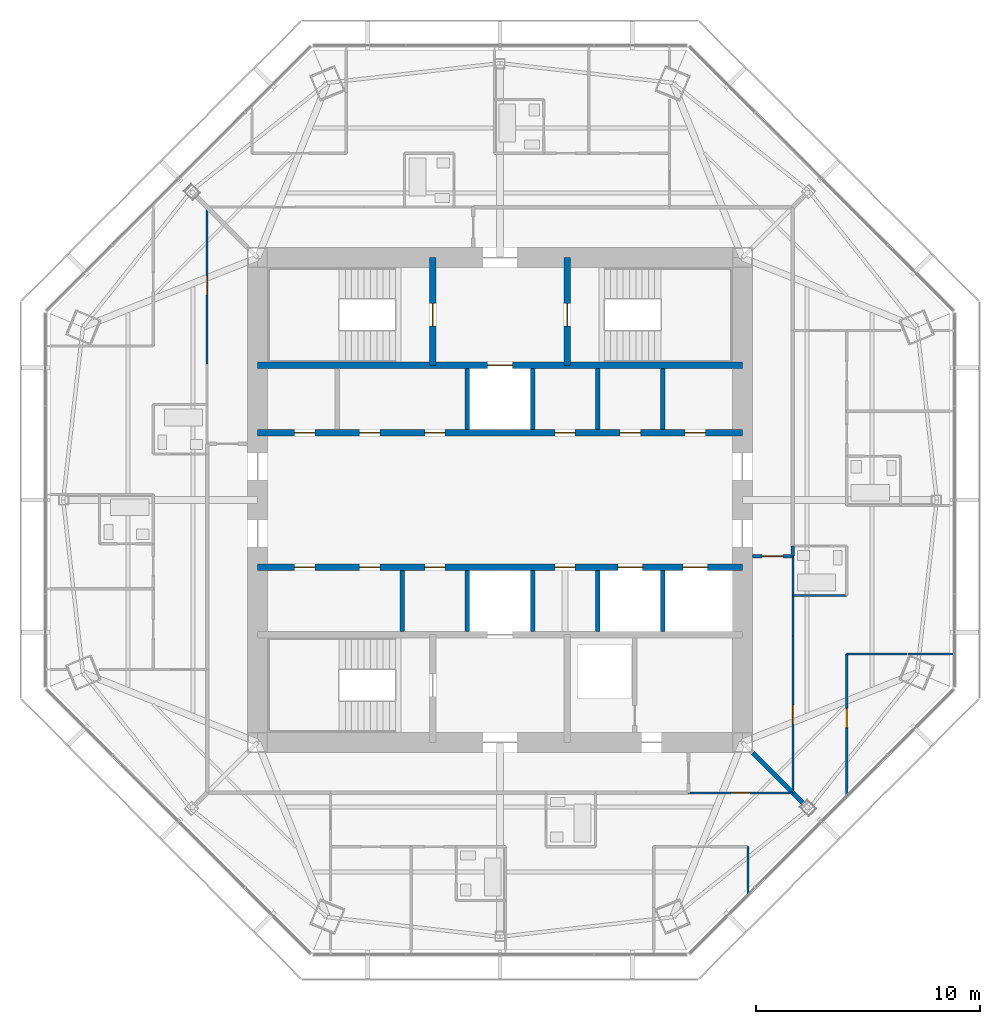
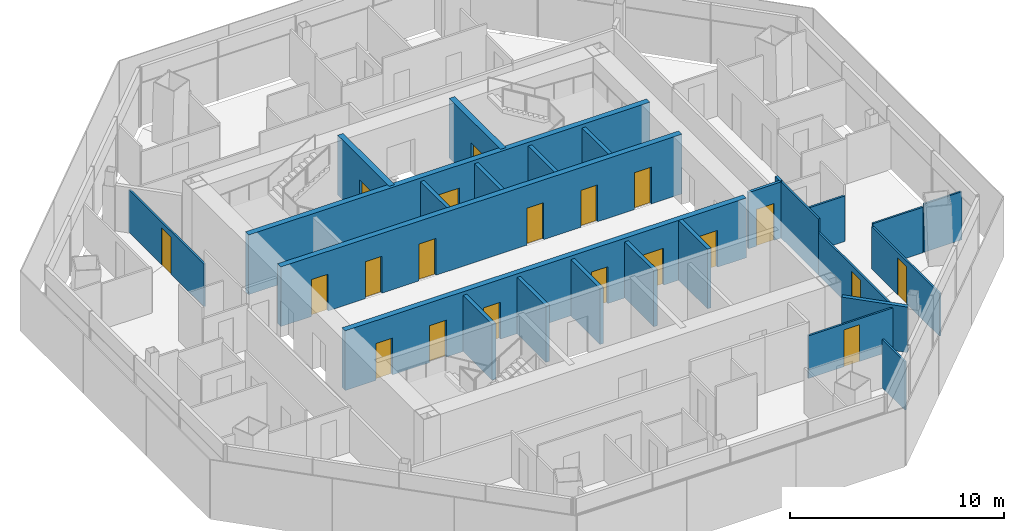
# One storey, part 11 of 15: 26 walls, 20 doors, 20 openings.
"""IFC4 building model written with IfcOpenShell, lengths in metres."""

from ifc_helpers import new_model, si_unit, direction, frame, frame_2d, origin, place, context, subcontext, project, spatial, rectangle, extrude, material, layer, layer_set, type_object, element, fill, save


model = new_model("IFC4")

# Units and contexts
model_context = context("Model", 3, precision=1e-05, world=origin(), true_north=direction((0.0, 1.0)))
body_context = subcontext(model_context, "Body", "Model", "MODEL_VIEW")
ifc_project = project(units=[si_unit("LENGTHUNIT", "METRE"), si_unit("AREAUNIT", "SQUARE_METRE"), si_unit("VOLUMEUNIT", "CUBIC_METRE"), si_unit("PLANEANGLEUNIT", "RADIAN"), si_unit("MASSUNIT", "GRAM", prefix="KILO")], contexts=[model_context])

# Site, building, storey
site_placement = place(None, origin())
site = spatial("IfcSite", under=ifc_project, at=site_placement, CompositionType="ELEMENT")
building_placement = place(site_placement, origin())
building = spatial("IfcBuilding", under=site, at=building_placement, Name="Mashrafa Tower", CompositionType="ELEMENT")
storey_placement = place(building_placement, frame((0.0, 0.0, 274.199951171875)))
storey = spatial("IfcBuildingStorey", under=building, at=storey_placement, Name="L66", CompositionType="ELEMENT", Elevation=274.199951171875)

# Wall
ifc_material_1 = material(Name="Gypsum board on steel studs", Category="steel")
ifc_layer_1 = layer(ifc_material_1, 0.199951171875)
ifc_layer_set_1 = layer_set([ifc_layer_1], Name="Acoustic partition 200 1 hr")
wall_type_1 = type_object("IfcWallType", Name="Acoustic partition 200 1 hr", PredefinedType="PARTITIONING", material=ifc_layer_set_1)
wall_1_placement = place(storey_placement, frame((13.518310546875, -13.518310546875, 0.0), z_axis=(0.0, 0.0, 1.0), x_axis=(-0.707106781187, 0.707106781187, 0.0)))
element("IfcWall", 1, at=wall_1_placement, inside=storey, type_object=wall_type_1, Name="Acoustic wall L66-049", PredefinedType="PARTITIONING", context=body_context, shape_type="SweptSolid", body=[
    extrude(rectangle(XDim=3.180908203125, YDim=0.199951171875, at=frame_2d((1.59033203125, 0.0))), origin(), (0.0, 0.0, 1.0), 2.590576171875),
])

# Wall, openings, doors
ifc_material_2 = material(Name="Concrete C50/60", Category="concrete")
ifc_layer_2 = layer(ifc_material_2, 0.300048828125)
ifc_layer_set_2 = layer_set([ifc_layer_2], Name="Core wall 300 C50/60")
wall_type_2 = type_object("IfcWallType", Name="Core wall 300 C50/60", PredefinedType="SOLIDWALL", material=ifc_layer_set_2)
wall_2_placement = place(storey_placement, frame((-10.800048828125, 3.0, 0.0), z_axis=(0.0, 0.0, 1.0), x_axis=(1.0, 0.0, 0.0)))
wall_2 = element("IfcWall", 2, at=wall_2_placement, inside=storey, type_object=wall_type_2, Name="Core wall CH-N L66", PredefinedType="SOLIDWALL", context=body_context, shape_type="SweptSolid", body=[
    extrude(rectangle(XDim=21.60009765625, YDim=0.300048828125, at=frame_2d((10.800048828125, 0.0))), origin(), (0.0, 0.0, 1.0), 3.400146484375),
])
opening_1_placement = place(wall_2_placement, frame((1.64990234375, 0.0, 0.0)))
opening_1 = element("IfcOpeningElement", 3, at=opening_1_placement, cuts=wall_2, Name="Opening 66.044", PredefinedType="OPENING", context=body_context, shape_type="SweptSolid", body=[
    extrude(rectangle(XDim=0.89990234375, YDim=2.10009765625, at=frame_2d((0.449951171875, 1.050048828125))), frame((0.0, 0.159912109375, 0.0), z_axis=(0.0, -1.0, 0.0), x_axis=(1.0, 0.0, 0.0)), (0.0, 0.0, 1.0), 0.320068359375),
])
opening_2_placement = place(wall_2_placement, frame((4.550048828125, 0.0, 0.0)))
opening_2 = element("IfcOpeningElement", 4, at=opening_2_placement, cuts=wall_2, Name="Opening 66.045", PredefinedType="OPENING", context=body_context, shape_type="SweptSolid", body=[
    extrude(rectangle(XDim=0.89990234375, YDim=2.10009765625, at=frame_2d((0.449951171875, 1.050048828125))), frame((0.0, 0.159912109375, 0.0), z_axis=(0.0, -1.0, 0.0), x_axis=(1.0, 0.0, 0.0)), (0.0, 0.0, 1.0), 0.320068359375),
])
opening_3_placement = place(wall_2_placement, frame((7.449951171875, 0.0, 0.0)))
opening_3 = element("IfcOpeningElement", 5, at=opening_3_placement, cuts=wall_2, Name="Opening 66.046", PredefinedType="OPENING", context=body_context, shape_type="SweptSolid", body=[
    extrude(rectangle(XDim=0.89990234375, YDim=2.10009765625, at=frame_2d((0.449951171875, 1.050048828125))), frame((0.0, 0.159912109375, 0.0), z_axis=(0.0, -1.0, 0.0), x_axis=(1.0, 0.0, 0.0)), (0.0, 0.0, 1.0), 0.320068359375),
])
opening_4_placement = place(wall_2_placement, frame((13.25, 0.0, 0.0)))
opening_4 = element("IfcOpeningElement", 6, at=opening_4_placement, cuts=wall_2, Name="Opening 66.047", PredefinedType="OPENING", context=body_context, shape_type="SweptSolid", body=[
    extrude(rectangle(XDim=0.89990234375, YDim=2.10009765625, at=frame_2d((0.449951171875, 1.050048828125))), frame((0.0, 0.159912109375, 0.0), z_axis=(0.0, -1.0, 0.0), x_axis=(1.0, 0.0, 0.0)), (0.0, 0.0, 1.0), 0.320068359375),
])
opening_5_placement = place(wall_2_placement, frame((16.14990234375, 0.0, 0.0)))
opening_5 = element("IfcOpeningElement", 7, at=opening_5_placement, cuts=wall_2, Name="Opening 66.051", PredefinedType="OPENING", context=body_context, shape_type="SweptSolid", body=[
    extrude(rectangle(XDim=0.89990234375, YDim=2.10009765625, at=frame_2d((0.449951171875, 1.050048828125))), frame((0.0, 0.159912109375, 0.0), z_axis=(0.0, -1.0, 0.0), x_axis=(1.0, 0.0, 0.0)), (0.0, 0.0, 1.0), 0.320068359375),
])
opening_6_placement = place(wall_2_placement, frame((19.050048828125, 0.0, 0.0)))
opening_6 = element("IfcOpeningElement", 8, at=opening_6_placement, cuts=wall_2, Name="Opening 66.052", PredefinedType="OPENING", context=body_context, shape_type="SweptSolid", body=[
    extrude(rectangle(XDim=0.89990234375, YDim=2.10009765625, at=frame_2d((0.449951171875, 1.050048828125))), frame((0.0, 0.159912109375, 0.0), z_axis=(0.0, -1.0, 0.0), x_axis=(1.0, 0.0, 0.0)), (0.0, 0.0, 1.0), 0.320068359375),
])
ifc_material_3 = material(Name="Timber door", Category="wood")
door_type_1 = type_object("IfcDoorType", Name="Store door 900 x 2100", OperationType="USERDEFINED", PredefinedType="DOOR", material=ifc_material_3)
door_1_placement = place(opening_1_placement, origin())
door_1 = element("IfcDoor", 9, at=door_1_placement, inside=storey, type_object=door_type_1, Name="Refuse Chute Room L66 door", OperationType="SINGLE_SWING_RIGHT", OverallHeight=2.10009765625, OverallWidth=0.89990234375, PredefinedType="DOOR", context=body_context, shape_type="SweptSolid", body=[
    extrude(rectangle(XDim=0.89990234375, YDim=2.10009765625, at=frame_2d((0.449951171875, 1.050048828125))), frame((0.0, 0.02490234375, 0.0), z_axis=(0.0, -1.0, 0.0), x_axis=(1.0, 0.0, 0.0)), (0.0, 0.0, 1.0), 0.050048828125),
])
fill(opening_1, door_1)
door_2_placement = place(opening_2_placement, origin())
door_2 = element("IfcDoor", 10, at=door_2_placement, inside=storey, type_object=door_type_1, Name="Housekeeping and Linen Room L66 door", OperationType="SINGLE_SWING_LEFT", OverallHeight=2.10009765625, OverallWidth=0.89990234375, PredefinedType="DOOR", context=body_context, shape_type="SweptSolid", body=[
    extrude(rectangle(XDim=0.89990234375, YDim=2.10009765625, at=frame_2d((0.449951171875, 1.050048828125))), frame((0.0, 0.02490234375, 0.0), z_axis=(0.0, -1.0, 0.0), x_axis=(1.0, 0.0, 0.0)), (0.0, 0.0, 1.0), 0.050048828125),
])
fill(opening_2, door_2)
door_3_placement = place(opening_3_placement, origin())
door_3 = element("IfcDoor", 11, at=door_3_placement, inside=storey, type_object=door_type_1, Name="Housekeeping and Linen Room L66 door", OperationType="SINGLE_SWING_RIGHT", OverallHeight=2.10009765625, OverallWidth=0.89990234375, PredefinedType="DOOR", context=body_context, shape_type="SweptSolid", body=[
    extrude(rectangle(XDim=0.89990234375, YDim=2.10009765625, at=frame_2d((0.449951171875, 1.050048828125))), frame((0.0, 0.02490234375, 0.0), z_axis=(0.0, -1.0, 0.0), x_axis=(1.0, 0.0, 0.0)), (0.0, 0.0, 1.0), 0.050048828125),
])
fill(opening_3, door_3)
door_4_placement = place(opening_4_placement, origin())
door_4 = element("IfcDoor", 12, at=door_4_placement, inside=storey, type_object=door_type_1, Name="Cleaner's Store L66 door", OperationType="SINGLE_SWING_LEFT", OverallHeight=2.10009765625, OverallWidth=0.89990234375, PredefinedType="DOOR", context=body_context, shape_type="SweptSolid", body=[
    extrude(rectangle(XDim=0.89990234375, YDim=2.10009765625, at=frame_2d((0.449951171875, 1.050048828125))), frame((0.0, 0.02490234375, 0.0), z_axis=(0.0, -1.0, 0.0), x_axis=(1.0, 0.0, 0.0)), (0.0, 0.0, 1.0), 0.050048828125),
])
fill(opening_4, door_4)
door_5_placement = place(opening_5_placement, origin())
door_5 = element("IfcDoor", 13, at=door_5_placement, inside=storey, type_object=door_type_1, Name="Residents' Store L66-K1 door", OperationType="SINGLE_SWING_LEFT", OverallHeight=2.10009765625, OverallWidth=0.89990234375, PredefinedType="DOOR", context=body_context, shape_type="SweptSolid", body=[
    extrude(rectangle(XDim=0.89990234375, YDim=2.10009765625, at=frame_2d((0.449951171875, 1.050048828125))), frame((0.0, 0.02490234375, 0.0), z_axis=(0.0, -1.0, 0.0), x_axis=(1.0, 0.0, 0.0)), (0.0, 0.0, 1.0), 0.050048828125),
])
fill(opening_5, door_5)
door_6_placement = place(opening_6_placement, origin())
door_6 = element("IfcDoor", 14, at=door_6_placement, inside=storey, type_object=door_type_1, Name="Residents' Store L66-K2 door", OperationType="SINGLE_SWING_LEFT", OverallHeight=2.10009765625, OverallWidth=0.89990234375, PredefinedType="DOOR", context=body_context, shape_type="SweptSolid", body=[
    extrude(rectangle(XDim=0.89990234375, YDim=2.10009765625, at=frame_2d((0.449951171875, 1.050048828125))), frame((0.0, 0.02490234375, 0.0), z_axis=(0.0, -1.0, 0.0), x_axis=(1.0, 0.0, 0.0)), (0.0, 0.0, 1.0), 0.050048828125),
])
fill(opening_6, door_6)

# Wall, opening, door
wall_3_placement = place(storey_placement, frame((-10.800048828125, 6.0, 0.0), z_axis=(0.0, 0.0, 1.0), x_axis=(1.0, 0.0, 0.0)))
wall_3 = element("IfcWall", 15, at=wall_3_placement, inside=storey, type_object=wall_type_2, Name="Core wall CB-N L66", PredefinedType="SOLIDWALL", context=body_context, shape_type="SweptSolid", body=[
    extrude(rectangle(XDim=21.60009765625, YDim=0.300048828125, at=frame_2d((10.800048828125, 0.0))), origin(), (0.0, 0.0, 1.0), 3.400146484375),
])
opening_7_placement = place(wall_3_placement, frame((10.25, 0.0, 0.0)))
opening_7 = element("IfcOpeningElement", 16, at=opening_7_placement, cuts=wall_3, Name="Opening 66.F1", PredefinedType="OPENING", context=body_context, shape_type="SweptSolid", body=[
    extrude(rectangle(XDim=1.10009765625, YDim=2.10009765625, at=frame_2d((0.550048828125, 1.050048828125))), frame((0.0, 0.159912109375, 0.0), z_axis=(0.0, -1.0, 0.0), x_axis=(1.0, 0.0, 0.0)), (0.0, 0.0, 1.0), 0.320068359375),
])
ifc_material_4 = material(Name="Steel door", Category="steel")
door_type_2 = type_object("IfcDoorType", Name="Lift landing door 1100 x 2100 90 min", OperationType="DOUBLE_DOOR_SLIDING", PredefinedType="DOOR", material=ifc_material_4)
door_7_placement = place(opening_7_placement, origin())
door_7 = element("IfcDoor", 17, at=door_7_placement, inside=storey, type_object=door_type_2, Name="Lift landing door F1 L66", OperationType="DOUBLE_DOOR_SLIDING", OverallHeight=2.10009765625, OverallWidth=1.10009765625, PredefinedType="DOOR", context=body_context, shape_type="SweptSolid", body=[
    extrude(rectangle(XDim=1.10009765625, YDim=2.10009765625, at=frame_2d((0.550048828125, 1.050048828125))), frame((0.0, 0.02490234375, 0.0), z_axis=(0.0, -1.0, 0.0), x_axis=(1.0, 0.0, 0.0)), (0.0, 0.0, 1.0), 0.050048828125),
])
fill(opening_7, door_7)

wall_4_placement = place(storey_placement, frame((-3.0, 6.0, 0.0), z_axis=(0.0, 0.0, 1.0), x_axis=(0.0, 1.0, 0.0)))
wall_4 = element("IfcWall", 18, at=wall_4_placement, inside=storey, type_object=wall_type_2, Name="Core wall CX-NW L66", PredefinedType="SOLIDWALL", context=body_context, shape_type="SweptSolid", body=[
    extrude(rectangle(XDim=4.800048828125, YDim=0.300048828125, at=frame_2d((2.39990234375, 0.0))), origin(), (0.0, 0.0, 1.0), 3.400146484375),
])
opening_8_placement = place(wall_4_placement, frame((1.75, 0.0, 0.0)))
opening_8 = element("IfcOpeningElement", 19, at=opening_8_placement, cuts=wall_4, Name="Opening 66.039", PredefinedType="OPENING", context=body_context, shape_type="SweptSolid", body=[
    extrude(rectangle(XDim=1.0, YDim=2.10009765625, at=frame_2d((0.5, 1.050048828125))), frame((0.0, 0.159912109375, 0.0), z_axis=(0.0, -1.0, 0.0), x_axis=(1.0, 0.0, 0.0)), (0.0, 0.0, 1.0), 0.320068359375),
])
ifc_material_5 = material(Name="Steel door", Category="steel")
door_type_3 = type_object("IfcDoorType", Name="Stair door 1000 x 2100 90 min", OperationType="USERDEFINED", PredefinedType="DOOR", material=ifc_material_5)
door_8_placement = place(opening_8_placement, origin())
door_8 = element("IfcDoor", 20, at=door_8_placement, inside=storey, type_object=door_type_3, Name="Stair S1 door L66", OperationType="SINGLE_SWING_LEFT", OverallHeight=2.10009765625, OverallWidth=1.0, PredefinedType="DOOR", context=body_context, shape_type="SweptSolid", body=[
    extrude(rectangle(XDim=1.0, YDim=2.10009765625, at=frame_2d((0.5, 1.050048828125))), frame((0.0, 0.02490234375, 0.0), z_axis=(0.0, -1.0, 0.0), x_axis=(1.0, 0.0, 0.0)), (0.0, 0.0, 1.0), 0.050048828125),
])
fill(opening_8, door_8)

wall_5_placement = place(storey_placement, frame((3.0, 6.0, 0.0), z_axis=(0.0, 0.0, 1.0), x_axis=(0.0, 1.0, 0.0)))
wall_5 = element("IfcWall", 21, at=wall_5_placement, inside=storey, type_object=wall_type_2, Name="Core wall CX-NE L66", PredefinedType="SOLIDWALL", context=body_context, shape_type="SweptSolid", body=[
    extrude(rectangle(XDim=4.800048828125, YDim=0.300048828125, at=frame_2d((2.39990234375, 0.0))), origin(), (0.0, 0.0, 1.0), 3.400146484375),
])
opening_9_placement = place(wall_5_placement, frame((1.75, 0.0, 0.0)))
opening_9 = element("IfcOpeningElement", 22, at=opening_9_placement, cuts=wall_5, Name="Opening 66.040", PredefinedType="OPENING", context=body_context, shape_type="SweptSolid", body=[
    extrude(rectangle(XDim=1.0, YDim=2.10009765625, at=frame_2d((0.5, 1.050048828125))), frame((0.0, 0.159912109375, 0.0), z_axis=(0.0, -1.0, 0.0), x_axis=(1.0, 0.0, 0.0)), (0.0, 0.0, 1.0), 0.320068359375),
])
door_9_placement = place(opening_9_placement, frame((1.0, 0.0, 0.0), z_axis=(0.0, 0.0, 1.0), x_axis=(-1.0, 0.0, 0.0)))
door_9 = element("IfcDoor", 23, at=door_9_placement, inside=storey, type_object=door_type_3, Name="Stair S2 door L66", OperationType="SINGLE_SWING_RIGHT", OverallHeight=2.10009765625, OverallWidth=1.0, PredefinedType="DOOR", context=body_context, shape_type="SweptSolid", body=[
    extrude(rectangle(XDim=1.0, YDim=2.10009765625, at=frame_2d((0.5, 1.050048828125))), frame((0.0, 0.02490234375, 0.0), z_axis=(0.0, -1.0, 0.0), x_axis=(1.0, 0.0, 0.0)), (0.0, 0.0, 1.0), 0.050048828125),
])
fill(opening_9, door_9)

# Wall, openings, doors
wall_6_placement = place(storey_placement, frame((-10.800048828125, -3.0, 0.0), z_axis=(0.0, 0.0, 1.0), x_axis=(1.0, 0.0, 0.0)))
wall_6 = element("IfcWall", 24, at=wall_6_placement, inside=storey, type_object=wall_type_2, Name="Core wall CH-S L66", PredefinedType="SOLIDWALL", context=body_context, shape_type="SweptSolid", body=[
    extrude(rectangle(XDim=21.60009765625, YDim=0.300048828125, at=frame_2d((10.800048828125, 0.0))), origin(), (0.0, 0.0, 1.0), 3.400146484375),
])
opening_10_placement = place(wall_6_placement, frame((13.25, 0.0, 0.0)))
opening_10 = element("IfcOpeningElement", 25, at=opening_10_placement, cuts=wall_6, Name="Opening 66.048", PredefinedType="OPENING", context=body_context, shape_type="SweptSolid", body=[
    extrude(rectangle(XDim=0.89990234375, YDim=2.10009765625, at=frame_2d((0.449951171875, 1.050048828125))), frame((0.0, 0.159912109375, 0.0), z_axis=(0.0, -1.0, 0.0), x_axis=(1.0, 0.0, 0.0)), (0.0, 0.0, 1.0), 0.320068359375),
])
opening_11_placement = place(wall_6_placement, frame((1.64990234375, 0.0, 0.0)))
opening_11 = element("IfcOpeningElement", 26, at=opening_11_placement, cuts=wall_6, Name="Opening 66.049", PredefinedType="OPENING", context=body_context, shape_type="SweptSolid", body=[
    extrude(rectangle(XDim=0.89990234375, YDim=2.10009765625, at=frame_2d((0.449951171875, 1.050048828125))), frame((0.0, 0.159912109375, 0.0), z_axis=(0.0, -1.0, 0.0), x_axis=(1.0, 0.0, 0.0)), (0.0, 0.0, 1.0), 0.320068359375),
])
opening_12_placement = place(wall_6_placement, frame((4.550048828125, 0.0, 0.0)))
opening_12 = element("IfcOpeningElement", 27, at=opening_12_placement, cuts=wall_6, Name="Opening 66.050", PredefinedType="OPENING", context=body_context, shape_type="SweptSolid", body=[
    extrude(rectangle(XDim=0.89990234375, YDim=2.10009765625, at=frame_2d((0.449951171875, 1.050048828125))), frame((0.0, 0.159912109375, 0.0), z_axis=(0.0, -1.0, 0.0), x_axis=(1.0, 0.0, 0.0)), (0.0, 0.0, 1.0), 0.320068359375),
])
opening_13_placement = place(wall_6_placement, frame((7.449951171875, 0.0, 0.0)))
opening_13 = element("IfcOpeningElement", 28, at=opening_13_placement, cuts=wall_6, Name="Opening 66.053", PredefinedType="OPENING", context=body_context, shape_type="SweptSolid", body=[
    extrude(rectangle(XDim=0.89990234375, YDim=2.10009765625, at=frame_2d((0.449951171875, 1.050048828125))), frame((0.0, 0.159912109375, 0.0), z_axis=(0.0, -1.0, 0.0), x_axis=(1.0, 0.0, 0.0)), (0.0, 0.0, 1.0), 0.320068359375),
])
opening_14_placement = place(wall_6_placement, frame((16.050048828125, 0.0, 0.0)))
opening_14 = element("IfcOpeningElement", 29, at=opening_14_placement, cuts=wall_6, Name="Opening 66.R1", PredefinedType="OPENING", context=body_context, shape_type="SweptSolid", body=[
    extrude(rectangle(XDim=1.10009765625, YDim=2.10009765625, at=frame_2d((0.550048828125, 1.050048828125))), frame((0.0, 0.159912109375, 0.0), z_axis=(0.0, -1.0, 0.0), x_axis=(1.0, 0.0, 0.0)), (0.0, 0.0, 1.0), 0.320068359375),
])
opening_15_placement = place(wall_6_placement, frame((18.949951171875, 0.0, 0.0)))
opening_15 = element("IfcOpeningElement", 30, at=opening_15_placement, cuts=wall_6, Name="Opening 66.R2", PredefinedType="OPENING", context=body_context, shape_type="SweptSolid", body=[
    extrude(rectangle(XDim=1.10009765625, YDim=2.10009765625, at=frame_2d((0.550048828125, 1.050048828125))), frame((0.0, 0.159912109375, 0.0), z_axis=(0.0, -1.0, 0.0), x_axis=(1.0, 0.0, 0.0)), (0.0, 0.0, 1.0), 0.320068359375),
])
door_10_placement = place(opening_14_placement, origin())
door_10 = element("IfcDoor", 31, at=door_10_placement, inside=storey, type_object=door_type_2, Name="Lift landing door R1 L66", OperationType="DOUBLE_DOOR_SLIDING", OverallHeight=2.10009765625, OverallWidth=1.10009765625, PredefinedType="DOOR", context=body_context, shape_type="SweptSolid", body=[
    extrude(rectangle(XDim=1.10009765625, YDim=2.10009765625, at=frame_2d((0.550048828125, 1.050048828125))), frame((0.0, 0.02490234375, 0.0), z_axis=(0.0, -1.0, 0.0), x_axis=(1.0, 0.0, 0.0)), (0.0, 0.0, 1.0), 0.050048828125),
])
fill(opening_14, door_10)
door_11_placement = place(opening_15_placement, origin())
door_11 = element("IfcDoor", 32, at=door_11_placement, inside=storey, type_object=door_type_2, Name="Lift landing door R2 L66", OperationType="DOUBLE_DOOR_SLIDING", OverallHeight=2.10009765625, OverallWidth=1.10009765625, PredefinedType="DOOR", context=body_context, shape_type="SweptSolid", body=[
    extrude(rectangle(XDim=1.10009765625, YDim=2.10009765625, at=frame_2d((0.550048828125, 1.050048828125))), frame((0.0, 0.02490234375, 0.0), z_axis=(0.0, -1.0, 0.0), x_axis=(1.0, 0.0, 0.0)), (0.0, 0.0, 1.0), 0.050048828125),
])
fill(opening_15, door_11)
door_12_placement = place(opening_10_placement, frame((0.89990234375, 0.0, 0.0), z_axis=(0.0, 0.0, 1.0), x_axis=(-1.0, 0.0, 0.0)))
door_12 = element("IfcDoor", 33, at=door_12_placement, inside=storey, type_object=door_type_1, Name="Communications Room L66 door", OperationType="SINGLE_SWING_RIGHT", OverallHeight=2.10009765625, OverallWidth=0.89990234375, PredefinedType="DOOR", context=body_context, shape_type="SweptSolid", body=[
    extrude(rectangle(XDim=0.89990234375, YDim=2.10009765625, at=frame_2d((0.449951171875, 1.050048828125))), frame((0.0, 0.02490234375, 0.0), z_axis=(0.0, -1.0, 0.0), x_axis=(1.0, 0.0, 0.0)), (0.0, 0.0, 1.0), 0.050048828125),
])
fill(opening_10, door_12)
door_13_placement = place(opening_11_placement, frame((0.89990234375, 0.0, 0.0), z_axis=(0.0, 0.0, 1.0), x_axis=(-1.0, 0.0, 0.0)))
door_13 = element("IfcDoor", 34, at=door_13_placement, inside=storey, type_object=door_type_1, Name="Residents' Storage Room L66 door", OperationType="SINGLE_SWING_RIGHT", OverallHeight=2.10009765625, OverallWidth=0.89990234375, PredefinedType="DOOR", context=body_context, shape_type="SweptSolid", body=[
    extrude(rectangle(XDim=0.89990234375, YDim=2.10009765625, at=frame_2d((0.449951171875, 1.050048828125))), frame((0.0, 0.02490234375, 0.0), z_axis=(0.0, -1.0, 0.0), x_axis=(1.0, 0.0, 0.0)), (0.0, 0.0, 1.0), 0.050048828125),
])
fill(opening_11, door_13)
door_14_placement = place(opening_12_placement, frame((0.89990234375, 0.0, 0.0), z_axis=(0.0, 0.0, 1.0), x_axis=(-1.0, 0.0, 0.0)))
door_14 = element("IfcDoor", 35, at=door_14_placement, inside=storey, type_object=door_type_1, Name="Residents' Storage Room L66 door", OperationType="SINGLE_SWING_LEFT", OverallHeight=2.10009765625, OverallWidth=0.89990234375, PredefinedType="DOOR", context=body_context, shape_type="SweptSolid", body=[
    extrude(rectangle(XDim=0.89990234375, YDim=2.10009765625, at=frame_2d((0.449951171875, 1.050048828125))), frame((0.0, 0.02490234375, 0.0), z_axis=(0.0, -1.0, 0.0), x_axis=(1.0, 0.0, 0.0)), (0.0, 0.0, 1.0), 0.050048828125),
])
fill(opening_12, door_14)
door_15_placement = place(opening_13_placement, frame((0.89990234375, 0.0, 0.0), z_axis=(0.0, 0.0, 1.0), x_axis=(-1.0, 0.0, 0.0)))
door_15 = element("IfcDoor", 36, at=door_15_placement, inside=storey, type_object=door_type_1, Name="Residents' Store L66-B3 door", OperationType="SINGLE_SWING_RIGHT", OverallHeight=2.10009765625, OverallWidth=0.89990234375, PredefinedType="DOOR", context=body_context, shape_type="SweptSolid", body=[
    extrude(rectangle(XDim=0.89990234375, YDim=2.10009765625, at=frame_2d((0.449951171875, 1.050048828125))), frame((0.0, 0.02490234375, 0.0), z_axis=(0.0, -1.0, 0.0), x_axis=(1.0, 0.0, 0.0)), (0.0, 0.0, 1.0), 0.050048828125),
])
fill(opening_13, door_15)

# Wall
ifc_material_6 = material(Name="Gypsum board on steel studs", Category="steel")
ifc_layer_3 = layer(ifc_material_6, 0.14990234375)
ifc_layer_set_3 = layer_set([ifc_layer_3], Name="Corridor partition 150 1 hr")
wall_type_3 = type_object("IfcWallType", Name="Corridor partition 150 1 hr", PredefinedType="PARTITIONING", material=ifc_layer_set_3)
wall_7_placement = place(storey_placement, frame((13.050048828125, -2.5, 0.0), z_axis=(0.0, 0.0, 1.0), x_axis=(0.0, 1.0, 0.0)))
element("IfcWall", 37, at=wall_7_placement, inside=storey, type_object=wall_type_3, Name="Corridor wall L66-001", PredefinedType="PARTITIONING", context=body_context, shape_type="SweptSolid", body=[
    extrude(rectangle(XDim=0.450927734375, YDim=0.14990234375, at=frame_2d((0.2255859375, 0.0))), origin(), (0.0, 0.0, 1.0), 3.199951171875),
])

# Wall, opening, door
wall_8_placement = place(storey_placement, frame((11.25, -2.5, 0.0), z_axis=(0.0, 0.0, 1.0), x_axis=(1.0, 0.0, 0.0)))
wall_8 = element("IfcWall", 38, at=wall_8_placement, inside=storey, type_object=wall_type_3, Name="Corridor wall L66-006", PredefinedType="PARTITIONING", context=body_context, shape_type="SweptSolid", body=[
    extrude(rectangle(XDim=1.800048828125, YDim=0.14990234375, at=frame_2d((0.89990234375, 0.0))), origin(), (0.0, 0.0, 1.0), 3.199951171875),
])
opening_16_placement = place(wall_8_placement, frame((0.425048828125, 0.0, 0.0)))
opening_16 = element("IfcOpeningElement", 39, at=opening_16_placement, cuts=wall_8, Name="Opening 66.029", PredefinedType="OPENING", context=body_context, shape_type="SweptSolid", body=[
    extrude(rectangle(XDim=0.949951171875, YDim=2.10009765625, at=frame_2d((0.47509765625, 1.050048828125))), frame((0.0, 0.0849609375, 0.0), z_axis=(0.0, -1.0, 0.0), x_axis=(1.0, 0.0, 0.0)), (0.0, 0.0, 1.0), 0.169921875),
])
ifc_material_7 = material(Name="Steel door", Category="steel")
door_type_4 = type_object("IfcDoorType", Name="Residence entrance door 950 x 2100 20 min", OperationType="USERDEFINED", PredefinedType="DOOR", material=ifc_material_7)
door_16_placement = place(opening_16_placement, origin())
door_16 = element("IfcDoor", 40, at=door_16_placement, inside=storey, type_object=door_type_4, Name="Apartment 6601 Entrance Hall door", OperationType="SINGLE_SWING_RIGHT", OverallHeight=2.10009765625, OverallWidth=0.949951171875, PredefinedType="DOOR", context=body_context, shape_type="SweptSolid", body=[
    extrude(rectangle(XDim=0.949951171875, YDim=2.10009765625, at=frame_2d((0.47509765625, 1.050048828125))), frame((0.0, 0.02490234375, 0.0), z_axis=(0.0, -1.0, 0.0), x_axis=(1.0, 0.0, 0.0)), (0.0, 0.0, 1.0), 0.050048828125),
])
fill(opening_16, door_16)

# Walls
ifc_material_8 = material(Name="Gypsum board on steel studs", Category="steel")
ifc_layer_4 = layer(ifc_material_8, 0.10009765625)
ifc_layer_set_4 = layer_set([ifc_layer_4], Name="Partition 100")
wall_type_4 = type_object("IfcWallType", Name="Partition 100", PredefinedType="PARTITIONING", material=ifc_layer_set_4)
wall_9_placement = place(storey_placement, frame((20.239990234375, -6.86279296875, 0.0), z_axis=(0.0, 0.0, 1.0), x_axis=(-1.0, 0.0, 0.0)))
element("IfcWall", 41, at=wall_9_placement, inside=storey, type_object=wall_type_4, Name="Partition wall L66-018", PredefinedType="PARTITIONING", context=body_context, shape_type="SweptSolid", body=[
    extrude(rectangle(XDim=2.054443359375, YDim=0.10009765625, at=frame_2d((1.02734375, 0.0))), origin(), (0.0, 0.0, 1.0), 2.740478515625),
])
wall_10_placement = place(storey_placement, frame((18.141845703125, -6.86279296875, 0.0), z_axis=(0.0, 0.0, 1.0), x_axis=(-1.0, 0.0, 0.0)))
element("IfcWall", 42, at=wall_10_placement, inside=storey, type_object=wall_type_4, Name="Partition wall L66-019", PredefinedType="PARTITIONING", context=body_context, shape_type="SweptSolid", body=[
    extrude(rectangle(XDim=2.69189453125, YDim=0.10009765625, at=frame_2d((1.345947265625, 0.0))), origin(), (0.0, 0.0, 1.0), 2.590576171875),
])

# Wall, opening, door
wall_11_placement = place(storey_placement, frame((15.449951171875, -6.86279296875, 0.0), z_axis=(0.0, 0.0, 1.0), x_axis=(0.0, -1.0, 0.0)))
wall_11 = element("IfcWall", 43, at=wall_11_placement, inside=storey, type_object=wall_type_4, Name="Partition wall L66-020", PredefinedType="PARTITIONING", context=body_context, shape_type="SweptSolid", body=[
    extrude(rectangle(XDim=6.314453125, YDim=0.10009765625, at=frame_2d((3.1572265625, 0.0))), origin(), (0.0, 0.0, 1.0), 2.427978515625),
])
opening_17_placement = place(wall_11_placement, frame((2.425048828125, 0.0, 0.0)))
opening_17 = element("IfcOpeningElement", 44, at=opening_17_placement, cuts=wall_11, Name="Opening 66.001", PredefinedType="OPENING", context=body_context, shape_type="SweptSolid", body=[
    extrude(rectangle(XDim=0.85009765625, YDim=2.10009765625, at=frame_2d((0.425048828125, 1.050048828125))), frame((0.0, 0.06005859375, 0.0), z_axis=(0.0, -1.0, 0.0), x_axis=(1.0, 0.0, 0.0)), (0.0, 0.0, 1.0), 0.1201171875),
])
ifc_material_9 = material(Name="Timber door", Category="wood")
door_type_5 = type_object("IfcDoorType", Name="Bedroom door 850 x 2100", OperationType="USERDEFINED", PredefinedType="DOOR", material=ifc_material_9)
door_17_placement = place(opening_17_placement, origin())
door_17 = element("IfcDoor", 45, at=door_17_placement, inside=storey, type_object=door_type_5, Name="Apartment 6601 Dining Room door", OperationType="SINGLE_SWING_RIGHT", OverallHeight=2.10009765625, OverallWidth=0.85009765625, PredefinedType="DOOR", context=body_context, shape_type="SweptSolid", body=[
    extrude(rectangle(XDim=0.85009765625, YDim=2.10009765625, at=frame_2d((0.425048828125, 1.050048828125))), frame((0.0, 0.02490234375, 0.0), z_axis=(0.0, -1.0, 0.0), x_axis=(1.0, 0.0, 0.0)), (0.0, 0.0, 1.0), 0.050048828125),
])
fill(opening_17, door_17)

# Walls
wall_12_placement = place(storey_placement, frame((11.050048828125, -17.5751953125, 0.0), z_axis=(0.0, 0.0, 1.0), x_axis=(0.0, 1.0, 0.0)))
element("IfcWall", 46, at=wall_12_placement, inside=storey, type_object=wall_type_4, Name="Partition wall L66-028", PredefinedType="PARTITIONING", context=body_context, shape_type="SweptSolid", body=[
    extrude(rectangle(XDim=2.125244140625, YDim=0.10009765625, at=frame_2d((1.0625, 0.0))), origin(), (0.0, 0.0, 1.0), 2.740478515625),
])
wall_13_placement = place(storey_placement, frame((15.449951171875, -4.25, 0.0), z_axis=(0.0, 0.0, 1.0), x_axis=(-1.0, 0.0, 0.0)))
element("IfcWall", 47, at=wall_13_placement, inside=storey, type_object=wall_type_4, Name="Partition wall L66-032", PredefinedType="PARTITIONING", context=body_context, shape_type="SweptSolid", body=[
    extrude(rectangle(XDim=2.39990234375, YDim=0.10009765625, at=frame_2d((1.199951171875, 0.0))), origin(), (0.0, 0.0, 1.0), 2.590576171875),
])
wall_14_placement = place(storey_placement, frame((13.050048828125, -6.050048828125, 0.0), z_axis=(0.0, 0.0, 1.0), x_axis=(0.0, 1.0, 0.0)))
element("IfcWall", 48, at=wall_14_placement, inside=storey, type_object=wall_type_4, Name="Partition wall L66-033", PredefinedType="PARTITIONING", context=body_context, shape_type="SweptSolid", body=[
    extrude(rectangle(XDim=3.551025390625, YDim=0.10009765625, at=frame_2d((1.775390625, 0.0))), origin(), (0.0, 0.0, 1.0), 3.199951171875),
])

# Wall, opening, door
wall_15_placement = place(storey_placement, frame((13.050048828125, -6.050048828125, 0.0), z_axis=(0.0, 0.0, 1.0), x_axis=(0.0, -1.0, 0.0)))
wall_15 = element("IfcWall", 49, at=wall_15_placement, inside=storey, type_object=wall_type_4, Name="Partition wall L66-050", PredefinedType="PARTITIONING", context=body_context, shape_type="SweptSolid", body=[
    extrude(rectangle(XDim=7.0, YDim=0.10009765625, at=frame_2d((3.5, 0.0))), origin(), (0.0, 0.0, 1.0), 2.427978515625),
])
opening_18_placement = place(wall_15_placement, frame((3.074951171875, 0.0, 0.0)))
opening_18 = element("IfcOpeningElement", 50, at=opening_18_placement, cuts=wall_15, Name="Opening 66.010", PredefinedType="OPENING", context=body_context, shape_type="SweptSolid", body=[
    extrude(rectangle(XDim=0.85009765625, YDim=2.10009765625, at=frame_2d((0.425048828125, 1.050048828125))), frame((0.0, 0.06005859375, 0.0), z_axis=(0.0, -1.0, 0.0), x_axis=(1.0, 0.0, 0.0)), (0.0, 0.0, 1.0), 0.1201171875),
])
door_18_placement = place(opening_18_placement, origin())
door_18 = element("IfcDoor", 51, at=door_18_placement, inside=storey, type_object=door_type_5, Name="Apartment 6601 Living Room door", OperationType="SINGLE_SWING_RIGHT", OverallHeight=2.10009765625, OverallWidth=0.85009765625, PredefinedType="DOOR", context=body_context, shape_type="SweptSolid", body=[
    extrude(rectangle(XDim=0.85009765625, YDim=2.10009765625, at=frame_2d((0.425048828125, 1.050048828125))), frame((0.0, 0.02490234375, 0.0), z_axis=(0.0, -1.0, 0.0), x_axis=(1.0, 0.0, 0.0)), (0.0, 0.0, 1.0), 0.050048828125),
])
fill(opening_18, door_18)

wall_16_placement = place(storey_placement, frame((-13.050048828125, 6.050048828125, 0.0), z_axis=(0.0, 0.0, 1.0), x_axis=(0.0, 1.0, 0.0)))
wall_16 = element("IfcWall", 52, at=wall_16_placement, inside=storey, type_object=wall_type_4, Name="Partition wall L66-087", PredefinedType="PARTITIONING", context=body_context, shape_type="SweptSolid", body=[
    extrude(rectangle(XDim=7.0, YDim=0.10009765625, at=frame_2d((3.5, 0.0))), origin(), (0.0, 0.0, 1.0), 2.427978515625),
])
opening_19_placement = place(wall_16_placement, frame((3.074951171875, 0.0, 0.0)))
opening_19 = element("IfcOpeningElement", 53, at=opening_19_placement, cuts=wall_16, Name="Opening 66.022", PredefinedType="OPENING", context=body_context, shape_type="SweptSolid", body=[
    extrude(rectangle(XDim=0.85009765625, YDim=2.10009765625, at=frame_2d((0.425048828125, 1.050048828125))), frame((0.0, 0.06005859375, 0.0), z_axis=(0.0, -1.0, 0.0), x_axis=(1.0, 0.0, 0.0)), (0.0, 0.0, 1.0), 0.1201171875),
])
door_19_placement = place(opening_19_placement, origin())
door_19 = element("IfcDoor", 54, at=door_19_placement, inside=storey, type_object=door_type_5, Name="Apartment 6603 Living Room door", OperationType="SINGLE_SWING_RIGHT", OverallHeight=2.10009765625, OverallWidth=0.85009765625, PredefinedType="DOOR", context=body_context, shape_type="SweptSolid", body=[
    extrude(rectangle(XDim=0.85009765625, YDim=2.10009765625, at=frame_2d((0.425048828125, 1.050048828125))), frame((0.0, 0.02490234375, 0.0), z_axis=(0.0, -1.0, 0.0), x_axis=(1.0, 0.0, 0.0)), (0.0, 0.0, 1.0), 0.050048828125),
])
fill(opening_19, door_19)

wall_17_placement = place(storey_placement, frame((13.050048828125, -13.050048828125, 0.0), z_axis=(0.0, 0.0, 1.0), x_axis=(-1.0, 0.0, 0.0)))
wall_17 = element("IfcWall", 55, at=wall_17_placement, inside=storey, type_object=wall_type_4, Name="Partition wall L66-102", PredefinedType="PARTITIONING", context=body_context, shape_type="SweptSolid", body=[
    extrude(rectangle(XDim=4.651123046875, YDim=0.10009765625, at=frame_2d((2.32568359375, 0.0))), origin(), (0.0, 0.0, 1.0), 2.427978515625),
])
opening_20_placement = place(wall_17_placement, frame((1.900390625, 0.0, 0.0)))
opening_20 = element("IfcOpeningElement", 56, at=opening_20_placement, cuts=wall_17, Name="Opening 66.028", PredefinedType="OPENING", context=body_context, shape_type="SweptSolid", body=[
    extrude(rectangle(XDim=0.85009765625, YDim=2.10009765625, at=frame_2d((0.425048828125, 1.050048828125))), frame((0.0, 0.06005859375, 0.0), z_axis=(0.0, -1.0, 0.0), x_axis=(1.0, 0.0, 0.0)), (0.0, 0.0, 1.0), 0.1201171875),
])
door_20_placement = place(opening_20_placement, origin())
door_20 = element("IfcDoor", 57, at=door_20_placement, inside=storey, type_object=door_type_5, Name="Apartment 6604 Living Room door", OperationType="SINGLE_SWING_LEFT", OverallHeight=2.10009765625, OverallWidth=0.85009765625, PredefinedType="DOOR", context=body_context, shape_type="SweptSolid", body=[
    extrude(rectangle(XDim=0.85009765625, YDim=2.10009765625, at=frame_2d((0.425048828125, 1.050048828125))), frame((0.0, 0.02490234375, 0.0), z_axis=(0.0, -1.0, 0.0), x_axis=(1.0, 0.0, 0.0)), (0.0, 0.0, 1.0), 0.050048828125),
])
fill(opening_20, door_20)

# Walls
ifc_material_10 = material(Name="Gypsum shaft wall on steel studs", Category="steel")
ifc_layer_5 = layer(ifc_material_10, 0.199951171875)
ifc_layer_set_5 = layer_set([ifc_layer_5], Name="Shaft divider wall 200 2 hr")
wall_type_5 = type_object("IfcWallType", Name="Shaft divider wall 200 2 hr", PredefinedType="PARTITIONING", material=ifc_layer_set_5)
for number, where, z_axis, x_axis, name in (
    (58, (-1.449951171875, 3.14990234375, 0.0), (0.0, 0.0, 1.0), (0.0, 1.0, 0.0), "Shaft divider wall N3 L66"),
    (59, (1.449951171875, 3.14990234375, 0.0), (0.0, 0.0, 1.0), (0.0, 1.0, 0.0), "Shaft divider wall N4 L66"),
    (60, (4.35009765625, 3.14990234375, 0.0), (0.0, 0.0, 1.0), (0.0, 1.0, 0.0), "Shaft divider wall N5 L66"),
    (61, (7.25, 3.14990234375, 0.0), (0.0, 0.0, 1.0), (0.0, 1.0, 0.0), "Shaft divider wall N6 L66"),
    (62, (-4.35009765625, -5.85009765625, 0.0), (0.0, 0.0, 1.0), (0.0, 1.0, 0.0), "Shaft divider wall S2 L66"),
    (63, (-1.449951171875, -5.85009765625, 0.0), (0.0, 0.0, 1.0), (0.0, 1.0, 0.0), "Shaft divider wall S3 L66"),
    (64, (1.449951171875, -5.85009765625, 0.0), (0.0, 0.0, 1.0), (0.0, 1.0, 0.0), "Shaft divider wall S4 L66"),
    (65, (4.35009765625, -5.85009765625, 0.0), (0.0, 0.0, 1.0), (0.0, 1.0, 0.0), "Shaft divider wall S5 L66"),
):
    element("IfcWall", number, at=place(storey_placement, frame(where, z_axis=z_axis, x_axis=x_axis)), inside=storey, type_object=wall_type_5, Name=name, PredefinedType="PARTITIONING", context=body_context, shape_type="SweptSolid", body=[
        extrude(rectangle(XDim=2.7001953125, YDim=0.199951171875, at=frame_2d((1.35009765625, 0.0))), origin(), (0.0, 0.0, 1.0), 3.199951171875),
    ])
wall_18_placement = place(storey_placement, frame((7.25, -5.85009765625, 0.0), z_axis=(0.0, 0.0, 1.0), x_axis=(0.0, 1.0, 0.0)))
element("IfcWall", 66, at=wall_18_placement, inside=storey, type_object=wall_type_5, Name="Shaft divider wall S6 L66", PredefinedType="PARTITIONING", context=body_context, shape_type="SweptSolid", body=[
    extrude(rectangle(XDim=2.7001953125, YDim=0.199951171875, at=frame_2d((1.35009765625, 0.0))), origin(), (0.0, 0.0, 1.0), 3.400146484375),
])

save(model, "model.ifc")
